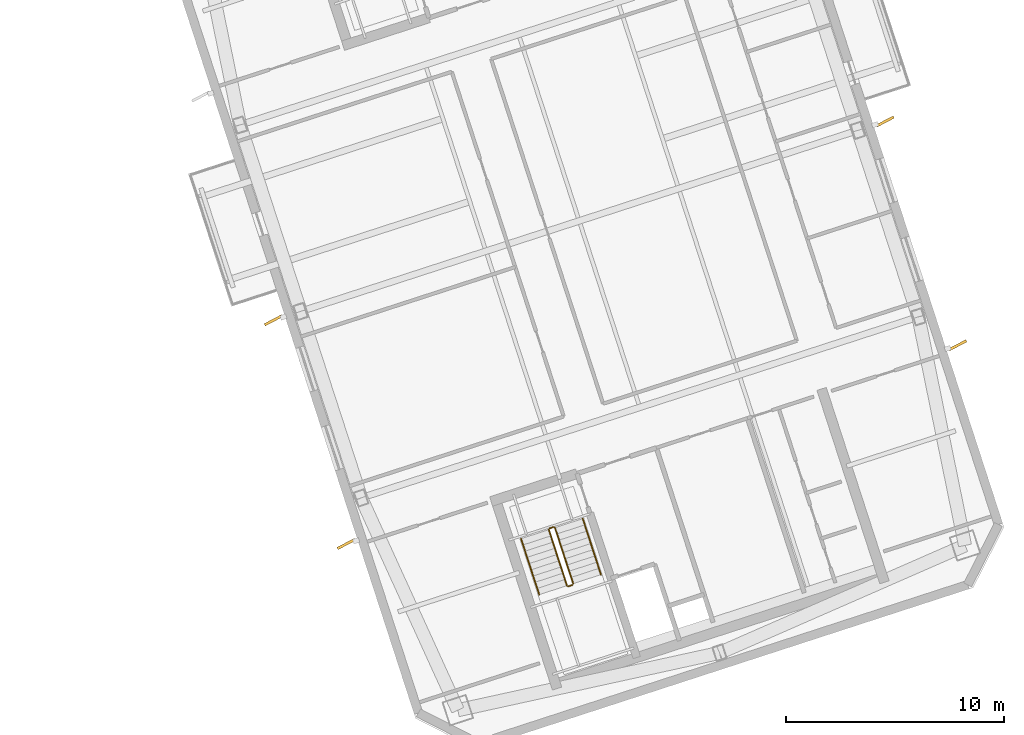
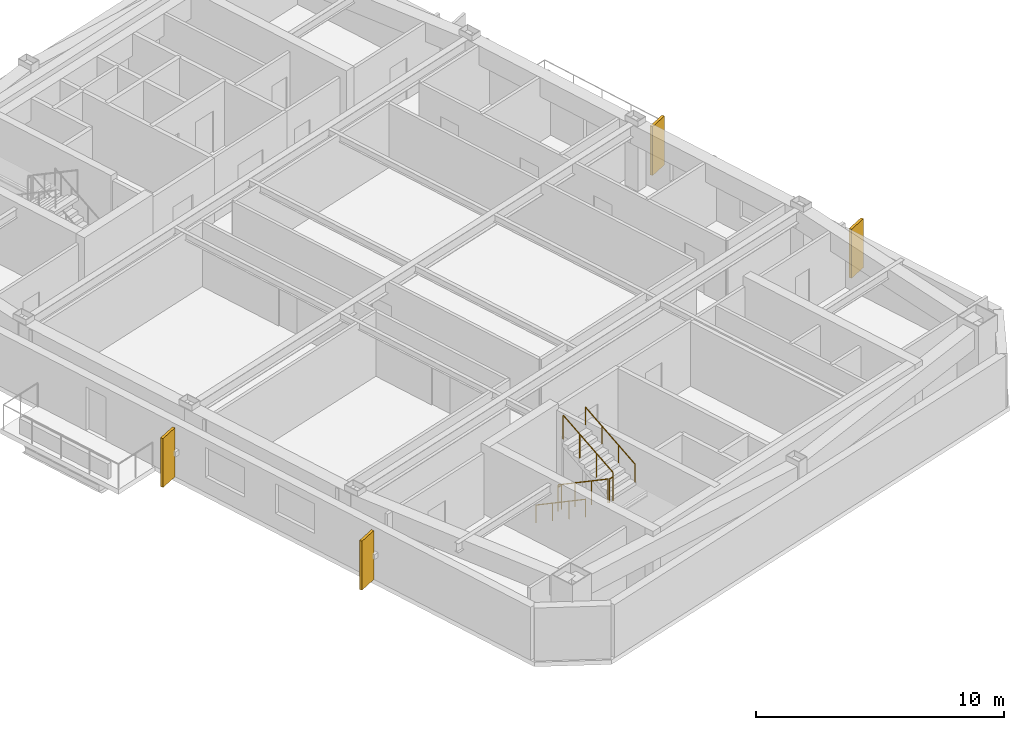
# One storey, part 16 of 17: 6 railings, 4 shading devices.
"""IFC4 building model written with IfcOpenShell, lengths in metres."""

from ifc_helpers import new_model, si_unit, direction, frame, origin, origin_2d, place, context, subcontext, project, spatial, rectangle, circle, extrude, material, layer, layer_set, type_object, element, save


model = new_model("IFC4")

# Units and contexts
model_context = context("Model", 3, precision=1e-05, world=origin(), true_north=direction((0.0, 1.0)))
body_context = subcontext(model_context, "Body", "Model", "MODEL_VIEW")
ifc_project = project(units=[si_unit("LENGTHUNIT", "METRE"), si_unit("AREAUNIT", "SQUARE_METRE"), si_unit("VOLUMEUNIT", "CUBIC_METRE"), si_unit("PLANEANGLEUNIT", "RADIAN"), si_unit("MASSUNIT", "GRAM", prefix="KILO")], contexts=[model_context])

# Site, building, storey
site_placement = place(None, origin())
site = spatial("IfcSite", under=ifc_project, at=site_placement, CompositionType="ELEMENT")
building_placement = place(site_placement, origin())
building = spatial("IfcBuilding", under=site, at=building_placement, Name="Qiaolan Cultural Towers", CompositionType="ELEMENT")
storey_placement = place(building_placement, frame((0.0, 0.0, 205.85009765625)))
storey = spatial("IfcBuildingStorey", under=building, at=storey_placement, Name="L55", CompositionType="ELEMENT", Elevation=205.85009765625)

# Railings
ifc_material_1 = material(Name="Galvanized Painted Steel Stair Guardrail", Category="steel")
railing_type_1 = type_object("IfcRailingType", Name="RL-STAIR-GRD", PredefinedType="GUARDRAIL", material=ifc_material_1)
railing_1_placement = place(storey_placement, frame((88.60205078125, 19.82421875, 0.17236328125)))
element("IfcRailing", 1, at=railing_1_placement, inside=storey, type_object=railing_type_1, Name="L55 ST-E1 stair guard 1", PredefinedType="GUARDRAIL", context=body_context, shape_type="SweptSolid", body=[
    extrude(circle(Radius=0.02392578125, at=origin_2d()), frame((0.0, 0.0, 1.17578125), z_axis=(0.267925668498, -0.824471088726, 0.498460891159), x_axis=(0.951043371037, 0.309057448393, 0.0)), (0.0, 0.0, 1.0), 3.114501953125),
    extrude(circle(Radius=0.02099609375, at=origin_2d()), origin(), (0.0, 0.0, 1.0), 1.15185546875),
    extrude(circle(Radius=0.02099609375, at=origin_2d()), frame((0.278076171875, -0.85595703125, 0.517578125)), (0.0, 0.0, 1.0), 1.15185546875),
    extrude(circle(Radius=0.02099609375, at=origin_2d()), frame((0.556396484375, -1.7119140625, 1.034912109375)), (0.0, 0.0, 1.0), 1.15185546875),
    extrude(circle(Radius=0.02099609375, at=origin_2d()), frame((0.83447265625, -2.56787109375, 1.552490234375)), (0.0, 0.0, 1.0), 1.15185546875),
])
railing_2_placement = place(storey_placement, frame((89.49951171875, 17.224365234375, 1.724853515625)))
element("IfcRailing", 2, at=railing_2_placement, inside=storey, type_object=railing_type_1, Name="L55 ST-E1 stair guard 2", PredefinedType="GUARDRAIL", context=body_context, shape_type="SweptSolid", body=[
    extrude(circle(Radius=0.02392578125, at=origin_2d()), frame((0.0, 0.0, 1.17578125), z_axis=(0.951096855055, 0.308892816854, 0.0), x_axis=(-0.308892816854, 0.951096855055, 0.0)), (0.0, 0.0, 1.0), 0.199951171875),
    extrude(circle(Radius=0.02099609375, at=origin_2d()), origin(), (0.0, 0.0, 1.0), 1.15185546875),
    extrude(circle(Radius=0.02099609375, at=origin_2d()), frame((0.190185546875, 0.061767578125, 0.0)), (0.0, 0.0, 1.0), 1.15185546875),
])
railing_3_placement = place(storey_placement, frame((89.721923828125, 17.34912109375, 1.8974609375)))
element("IfcRailing", 3, at=railing_3_placement, inside=storey, type_object=railing_type_1, Name="L55 ST-E1 stair guard 3", PredefinedType="GUARDRAIL", context=body_context, shape_type="SweptSolid", body=[
    extrude(circle(Radius=0.02392578125, at=origin_2d()), frame((0.0, 0.0, 1.17578125), z_axis=(-0.267925668498, 0.824471088726, 0.498460891159), x_axis=(-0.951043371037, -0.309057448393, 0.0)), (0.0, 0.0, 1.0), 3.114501953125),
    extrude(circle(Radius=0.02099609375, at=origin_2d()), origin(), (0.0, 0.0, 1.0), 1.15185546875),
    extrude(circle(Radius=0.02099609375, at=origin_2d()), frame((-0.278076171875, 0.85595703125, 0.517578125)), (0.0, 0.0, 1.0), 1.15185546875),
    extrude(circle(Radius=0.02099609375, at=origin_2d()), frame((-0.556396484375, 1.7119140625, 1.034912109375)), (0.0, 0.0, 1.0), 1.15185546875),
    extrude(circle(Radius=0.02099609375, at=origin_2d()), frame((-0.83447265625, 2.56787109375, 1.552490234375)), (0.0, 0.0, 1.0), 1.15185546875),
])
railing_4_placement = place(storey_placement, frame((88.63427734375, 19.88720703125, 0.0)))
element("IfcRailing", 4, at=railing_4_placement, inside=storey, type_object=railing_type_1, Name="L55 ST-E1 stair guard 4", PredefinedType="GUARDRAIL", context=body_context, shape_type="SweptSolid", body=[
    extrude(circle(Radius=0.02392578125, at=origin_2d()), frame((0.0, 0.0, 1.17578125), z_axis=(0.951096855055, 0.308892816854, 0.0), x_axis=(-0.308892816854, 0.951096855055, 0.0)), (0.0, 0.0, 1.0), 0.199951171875),
    extrude(circle(Radius=0.02099609375, at=origin_2d()), origin(), (0.0, 0.0, 1.0), 1.15185546875),
    extrude(circle(Radius=0.02099609375, at=origin_2d()), frame((0.190185546875, 0.061767578125, 0.0)), (0.0, 0.0, 1.0), 1.15185546875),
])
ifc_material_2 = material(Name="Stainless Steel S30408 Tubular Handrail", Category="steel")
railing_type_2 = type_object("IfcRailingType", Name="RL-STAIR-HR", PredefinedType="HANDRAIL", material=ifc_material_2)
railing_5_placement = place(storey_placement, frame((87.32763671875, 19.41015625, 0.17236328125)))
element("IfcRailing", 5, at=railing_5_placement, inside=storey, type_object=railing_type_2, Name="L55 ST-E1 stair handrail 1", PredefinedType="HANDRAIL", context=body_context, shape_type="SweptSolid", body=[
    extrude(circle(Radius=0.02392578125, at=origin_2d()), frame((0.0, 0.0, 0.8759765625), z_axis=(0.267925668498, -0.824471088726, 0.498460891159), x_axis=(0.951043371037, 0.309057448393, 0.0)), (0.0, 0.0, 1.0), 3.114501953125),
    extrude(circle(Radius=0.02099609375, at=origin_2d()), origin(), (0.0, 0.0, 1.0), 0.851806640625),
    extrude(circle(Radius=0.02099609375, at=origin_2d()), frame((0.278076171875, -0.85595703125, 0.517578125)), (0.0, 0.0, 1.0), 0.851806640625),
    extrude(circle(Radius=0.02099609375, at=origin_2d()), frame((0.556396484375, -1.7119140625, 1.034912109375)), (0.0, 0.0, 1.0), 0.851806640625),
    extrude(circle(Radius=0.02099609375, at=origin_2d()), frame((0.83447265625, -2.56787109375, 1.552490234375)), (0.0, 0.0, 1.0), 0.851806640625),
])
railing_6_placement = place(storey_placement, frame((90.996337890625, 17.76318359375, 1.8974609375)))
element("IfcRailing", 6, at=railing_6_placement, inside=storey, type_object=railing_type_2, Name="L55 ST-E1 stair handrail 2", PredefinedType="HANDRAIL", context=body_context, shape_type="SweptSolid", body=[
    extrude(circle(Radius=0.02392578125, at=origin_2d()), frame((0.0, 0.0, 0.8759765625), z_axis=(-0.267925668498, 0.824471088726, 0.498460891159), x_axis=(-0.951043371037, -0.309057448393, 0.0)), (0.0, 0.0, 1.0), 3.114501953125),
    extrude(circle(Radius=0.02099609375, at=origin_2d()), origin(), (0.0, 0.0, 1.0), 0.851806640625),
    extrude(circle(Radius=0.02099609375, at=origin_2d()), frame((-0.278076171875, 0.85595703125, 0.517578125)), (0.0, 0.0, 1.0), 0.851806640625),
    extrude(circle(Radius=0.02099609375, at=origin_2d()), frame((-0.556396484375, 1.7119140625, 1.034912109375)), (0.0, 0.0, 1.0), 0.851806640625),
    extrude(circle(Radius=0.02099609375, at=origin_2d()), frame((-0.83447265625, 2.56787109375, 1.552490234375)), (0.0, 0.0, 1.0), 0.851806640625),
])

# Shading devices
ifc_material_3 = material(Name="Light Limestone Precast Vertical Fin", Category="masonry")
ifc_layer = layer(ifc_material_3, 0.1201171875)
ifc_layer_set = layer_set([ifc_layer], Name="Light Limestone Precast Vertical Fin")
shading_device_type = type_object("IfcShadingDeviceType", Name="SHD-FIN-WHITE", PredefinedType="USERDEFINED", material=ifc_layer_set)
for number, where, z_axis, x_axis, name in (
    (7, (79.2998046875, 19.16748046875, 0.10009765625), (0.0, 0.0, 1.0), (0.885865233539, 0.463942655947, 0.0), "L55 T2 Expressive Precast Vertical Fin W1"),
    (8, (75.96240234375, 29.43896484375, 0.10009765625), (0.0, 0.0, 1.0), (0.885865233539, 0.463942655947, 0.0), "L55 T2 Expressive Precast Vertical Fin W2"),
    (9, (107.375, 28.289794921875, 0.10009765625), (0.0, 0.0, 1.0), (0.885865233539, 0.463942655947, 0.0), "L55 T2 Expressive Precast Vertical Fin E1"),
    (10, (104.03759765625, 38.56103515625, 0.10009765625), (0.0, 0.0, 1.0), (0.885865233539, 0.463942655947, 0.0), "L55 T2 Expressive Precast Vertical Fin E2"),
):
    element("IfcShadingDevice", number, at=place(storey_placement, frame(where, z_axis=z_axis, x_axis=x_axis)), inside=storey, type_object=shading_device_type, Name=name, ObjectType="FIN", PredefinedType="USERDEFINED", context=body_context, shape_type="SweptSolid", body=[
        extrude(rectangle(XDim=0.89990234375, YDim=0.1201171875, at=origin_2d()), origin(), (0.0, 0.0, 1.0), 2.409912109375),
    ])

save(model, "model.ifc")
